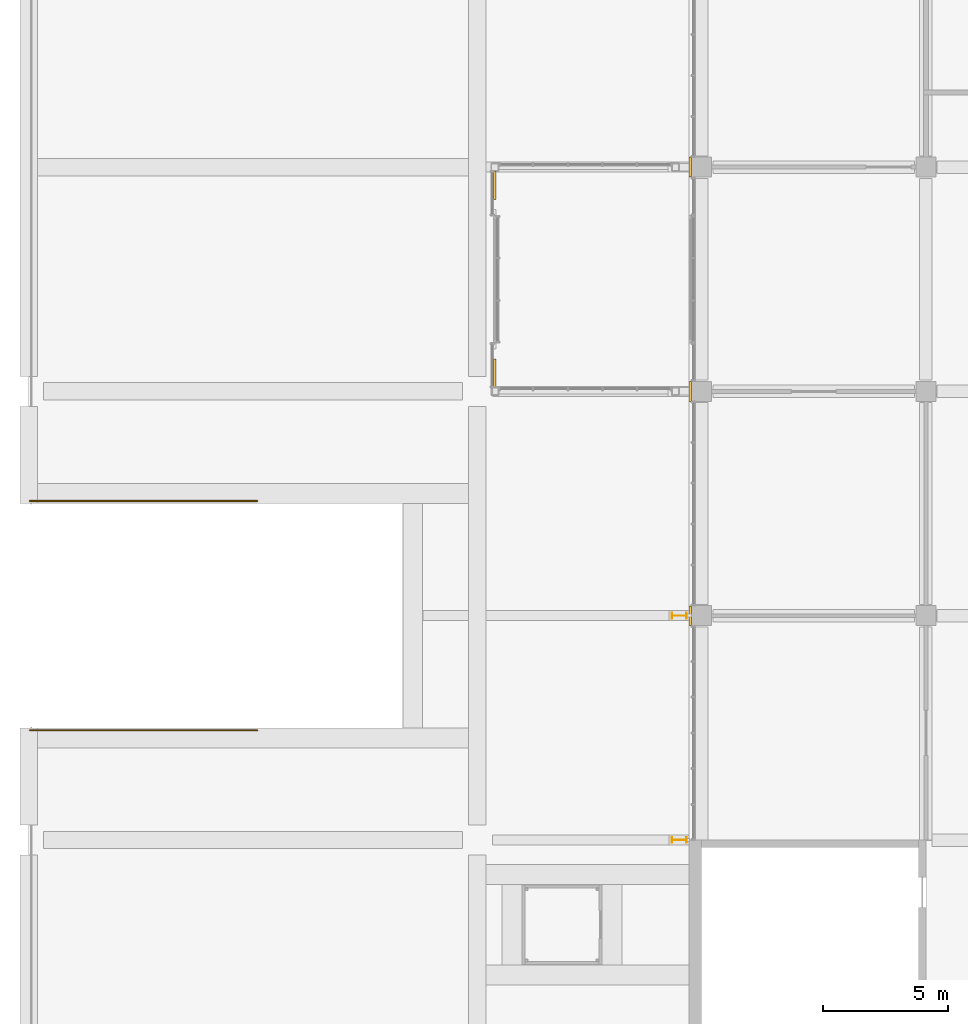
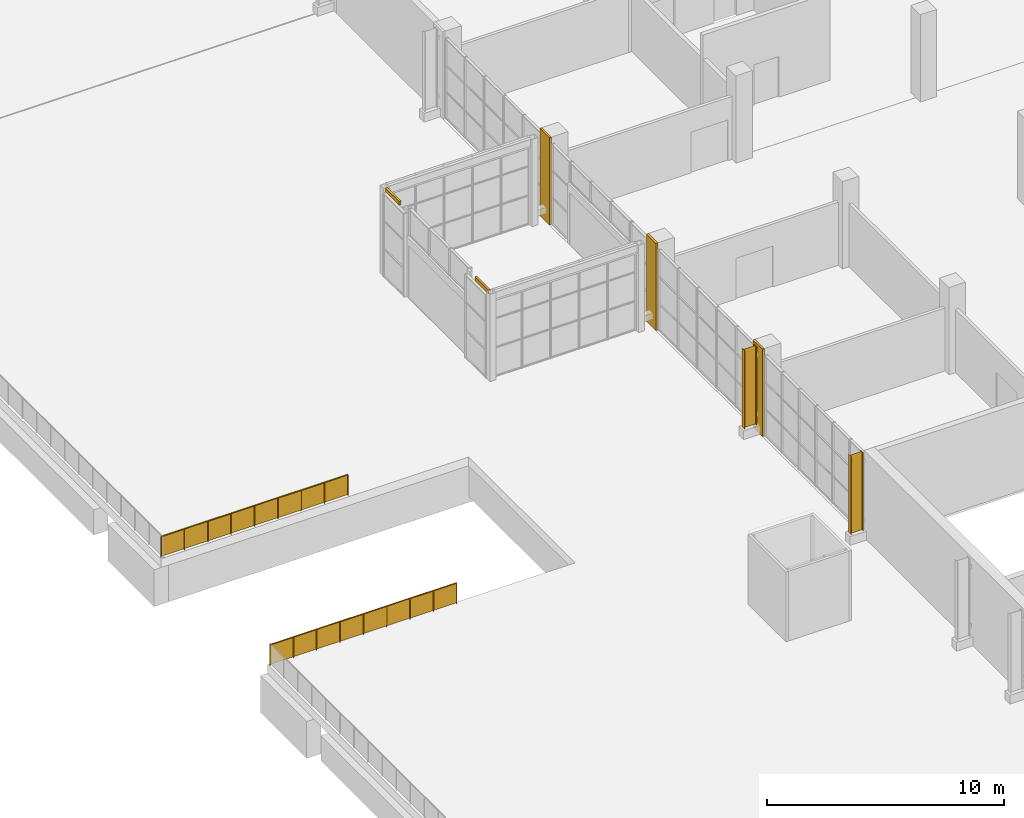
# One storey, part 140 of 168: 5 coverings, 2 railings, 2 shading devices.
"""IFC4 building model written with IfcOpenShell, lengths in metres."""

from ifc_helpers import new_model, si_unit, direction, frame, origin, origin_2d, place, context, subcontext, project, spatial, polyline, circle, i_section, outline, extrude, material, layer, layer_set, material_profile, profile_set, type_object, element, save


model = new_model("IFC4")

# Units and contexts
model_context = context("Model", 3, precision=1e-05, world=origin(), true_north=direction((0.0, 1.0)))
body_context = subcontext(model_context, "Body", "Model", "MODEL_VIEW")
ifc_project = project(units=[si_unit("LENGTHUNIT", "METRE"), si_unit("AREAUNIT", "SQUARE_METRE"), si_unit("VOLUMEUNIT", "CUBIC_METRE"), si_unit("PLANEANGLEUNIT", "RADIAN"), si_unit("MASSUNIT", "GRAM", prefix="KILO")], contexts=[model_context])

# Site, building, storey
site_placement = place(None, origin())
site = spatial("IfcSite", under=ifc_project, at=site_placement, CompositionType="ELEMENT")
building_placement = place(site_placement, origin())
building = spatial("IfcBuilding", under=site, at=building_placement, Name="Silverbay Arena", CompositionType="ELEMENT")
storey_placement = place(building_placement, frame((0.0, 0.0, 7.0)))
storey = spatial("IfcBuildingStorey", under=building, at=storey_placement, Name="L01", CompositionType="ELEMENT", Elevation=7.0)

# Coverings
ifc_material_1 = material(Name="Aluminium composite cladding", Category="aluminium")
ifc_layer_1 = layer(ifc_material_1, 0.10009765625)
ifc_layer_set_1 = layer_set([ifc_layer_1], Name="Aluminium composite cladding")
covering_type_1 = type_object("IfcCoveringType", Name="Canopy band cladding 100", PredefinedType="CLADDING", material=ifc_layer_set_1)
covering_1_placement = place(storey_placement, frame((0.0, 0.0, 4.300048828125)))
element("IfcCovering", 1, at=covering_1_placement, inside=storey, type_object=covering_type_1, Name="Canopy band cladding", PredefinedType="CLADDING", context=body_context, shape_type="SweptSolid", body=[
    extrude(outline(polyline([(18.64990234375, 54.14990234375), (18.75, 54.14990234375), (18.75, 55.300048828125), (18.64990234375, 55.300048828125), (18.64990234375, 54.14990234375)])), origin(), (0.0, 0.0, 1.0), 0.199951171875),
])
covering_2_placement = place(storey_placement, frame((0.0, 0.0, 4.300048828125)))
element("IfcCovering", 2, at=covering_2_placement, inside=storey, type_object=covering_type_1, Name="Canopy band cladding", PredefinedType="CLADDING", context=body_context, shape_type="SweptSolid", body=[
    extrude(outline(polyline([(18.64990234375, 61.699951171875), (18.75, 61.699951171875), (18.75, 62.85009765625), (18.64990234375, 62.85009765625), (18.64990234375, 61.699951171875)])), origin(), (0.0, 0.0, 1.0), 0.199951171875),
])
ifc_material_2 = material(Name="Aluminium composite cladding", Category="aluminium")
ifc_layer_2 = layer(ifc_material_2, 0.10009765625)
ifc_layer_set_2 = layer_set([ifc_layer_2], Name="Aluminium composite cladding")
covering_type_2 = type_object("IfcCoveringType", Name="Column cladding 100", PredefinedType="CLADDING", material=ifc_layer_set_2)
covering_3_placement = place(storey_placement, origin())
element("IfcCovering", 3, at=covering_3_placement, inside=storey, type_object=covering_type_2, Name="West column cladding L01 29", PredefinedType="CLADDING", context=body_context, shape_type="SweptSolid", body=[
    extrude(outline(polyline([(26.5, 44.60009765625), (26.60009765625, 44.60009765625), (26.60009765625, 45.39990234375), (26.5, 45.39990234375), (26.5, 44.60009765625)])), origin(), (0.0, 0.0, 1.0), 4.5),
])
covering_4_placement = place(storey_placement, origin())
element("IfcCovering", 4, at=covering_4_placement, inside=storey, type_object=covering_type_2, Name="West column cladding L01 30", PredefinedType="CLADDING", context=body_context, shape_type="SweptSolid", body=[
    extrude(outline(polyline([(26.5, 53.60009765625), (26.60009765625, 53.60009765625), (26.60009765625, 54.39990234375), (26.5, 54.39990234375), (26.5, 53.60009765625)])), origin(), (0.0, 0.0, 1.0), 4.5),
])
covering_5_placement = place(storey_placement, origin())
element("IfcCovering", 5, at=covering_5_placement, inside=storey, type_object=covering_type_2, Name="West column cladding L01 31", PredefinedType="CLADDING", context=body_context, shape_type="SweptSolid", body=[
    extrude(outline(polyline([(26.5, 62.60009765625), (26.60009765625, 62.60009765625), (26.60009765625, 63.39990234375), (26.5, 63.39990234375), (26.5, 62.60009765625)])), origin(), (0.0, 0.0, 1.0), 4.5),
])

# Railings
ifc_material_3 = material(Name="Stainless steel", Category="steel")
railing_type = type_object("IfcRailingType", Name="Stair guard 1100", PredefinedType="GUARDRAIL", material=ifc_material_3)
railing_1_placement = place(storey_placement, frame((0.050048828125, 40.39990234375, 0.0)))
element("IfcRailing", 6, at=railing_1_placement, inside=storey, type_object=railing_type, Name="Deck stair DS1 well edge guard left", PredefinedType="GUARDRAIL", context=body_context, shape_type="SweptSolid", body=[
    extrude(circle(Radius=0.02392578125, at=origin_2d()), frame((0.0, 0.0, 1.076171875), z_axis=(1.0, 0.0, 0.0), x_axis=(0.0, 1.0, 0.0)), (0.0, 0.0, 1.0), 9.112060546875),
    extrude(outline(polyline([(-0.008056640625, 0.050048828125), (1.14697265625, 0.050048828125), (1.14697265625, 1.052978515625), (-0.008056640625, 1.052978515625), (-0.008056640625, 0.050048828125)])), frame((0.0, 0.0029296875, 0.0), z_axis=(0.0, -1.0, 0.0), x_axis=(1.0, 0.0, 0.0)), (0.0, 0.0, 1.0), 0.006103515625),
    extrude(outline(polyline([(-0.008056640625, 0.050048828125), (1.14697265625, 0.050048828125), (1.14697265625, 1.052978515625), (-0.008056640625, 1.052978515625), (-0.008056640625, 0.050048828125)])), frame((1.138916015625, 0.0029296875, 0.0), z_axis=(0.0, -1.0, 0.0), x_axis=(1.0, 0.0, 0.0)), (0.0, 0.0, 1.0), 0.006103515625),
    extrude(outline(polyline([(-0.008056640625, 0.050048828125), (1.14697265625, 0.050048828125), (1.14697265625, 1.052978515625), (-0.008056640625, 1.052978515625), (-0.008056640625, 0.050048828125)])), frame((2.278076171875, 0.0029296875, 0.0), z_axis=(0.0, -1.0, 0.0), x_axis=(1.0, 0.0, 0.0)), (0.0, 0.0, 1.0), 0.006103515625),
    extrude(outline(polyline([(-0.008056640625, 0.050048828125), (1.14697265625, 0.050048828125), (1.14697265625, 1.052978515625), (-0.008056640625, 1.052978515625), (-0.008056640625, 0.050048828125)])), frame((3.4169921875, 0.0029296875, 0.0), z_axis=(0.0, -1.0, 0.0), x_axis=(1.0, 0.0, 0.0)), (0.0, 0.0, 1.0), 0.006103515625),
    extrude(outline(polyline([(-0.008056640625, 0.050048828125), (1.14697265625, 0.050048828125), (1.14697265625, 1.052978515625), (-0.008056640625, 1.052978515625), (-0.008056640625, 0.050048828125)])), frame((4.55615234375, 0.0029296875, 0.0), z_axis=(0.0, -1.0, 0.0), x_axis=(1.0, 0.0, 0.0)), (0.0, 0.0, 1.0), 0.006103515625),
    extrude(outline(polyline([(-0.008056640625, 0.050048828125), (1.14697265625, 0.050048828125), (1.14697265625, 1.052978515625), (-0.008056640625, 1.052978515625), (-0.008056640625, 0.050048828125)])), frame((5.695068359375, 0.0029296875, 0.0), z_axis=(0.0, -1.0, 0.0), x_axis=(1.0, 0.0, 0.0)), (0.0, 0.0, 1.0), 0.006103515625),
    extrude(outline(polyline([(-0.008056640625, 0.050048828125), (1.14697265625, 0.050048828125), (1.14697265625, 1.052978515625), (-0.008056640625, 1.052978515625), (-0.008056640625, 0.050048828125)])), frame((6.833984375, 0.0029296875, 0.0), z_axis=(0.0, -1.0, 0.0), x_axis=(1.0, 0.0, 0.0)), (0.0, 0.0, 1.0), 0.006103515625),
    extrude(outline(polyline([(-0.008056640625, 0.050048828125), (1.14697265625, 0.050048828125), (1.14697265625, 1.052978515625), (-0.008056640625, 1.052978515625), (-0.008056640625, 0.050048828125)])), frame((7.97314453125, 0.0029296875, 0.0), z_axis=(0.0, -1.0, 0.0), x_axis=(1.0, 0.0, 0.0)), (0.0, 0.0, 1.0), 0.006103515625),
    extrude(circle(Radius=0.02099609375, at=origin_2d()), origin(), (0.0, 0.0, 1.0), 1.052001953125),
    extrude(circle(Radius=0.02099609375, at=origin_2d()), frame((1.138916015625, 0.0, 0.0)), (0.0, 0.0, 1.0), 1.052001953125),
    extrude(circle(Radius=0.02099609375, at=origin_2d()), frame((2.278076171875, 0.0, 0.0)), (0.0, 0.0, 1.0), 1.052001953125),
    extrude(circle(Radius=0.02099609375, at=origin_2d()), frame((3.4169921875, 0.0, 0.0)), (0.0, 0.0, 1.0), 1.052001953125),
    extrude(circle(Radius=0.02099609375, at=origin_2d()), frame((4.55615234375, 0.0, 0.0)), (0.0, 0.0, 1.0), 1.052001953125),
    extrude(circle(Radius=0.02099609375, at=origin_2d()), frame((5.695068359375, 0.0, 0.0)), (0.0, 0.0, 1.0), 1.052001953125),
    extrude(circle(Radius=0.02099609375, at=origin_2d()), frame((6.833984375, 0.0, 0.0)), (0.0, 0.0, 1.0), 1.052001953125),
    extrude(circle(Radius=0.02099609375, at=origin_2d()), frame((7.97314453125, 0.0, 0.0)), (0.0, 0.0, 1.0), 1.052001953125),
    extrude(circle(Radius=0.02099609375, at=origin_2d()), frame((9.112060546875, 0.0, 0.0)), (0.0, 0.0, 1.0), 1.052001953125),
])
railing_2_placement = place(storey_placement, frame((0.050048828125, 49.60009765625, 0.0)))
element("IfcRailing", 7, at=railing_2_placement, inside=storey, type_object=railing_type, Name="Deck stair DS1 well edge guard right", PredefinedType="GUARDRAIL", context=body_context, shape_type="SweptSolid", body=[
    extrude(circle(Radius=0.02392578125, at=origin_2d()), frame((0.0, 0.0, 1.076171875), z_axis=(1.0, 0.0, 0.0), x_axis=(0.0, 1.0, 0.0)), (0.0, 0.0, 1.0), 9.112060546875),
    extrude(outline(polyline([(-0.008056640625, 0.050048828125), (1.14697265625, 0.050048828125), (1.14697265625, 1.052978515625), (-0.008056640625, 1.052978515625), (-0.008056640625, 0.050048828125)])), frame((0.0, 0.0029296875, 0.0), z_axis=(0.0, -1.0, 0.0), x_axis=(1.0, 0.0, 0.0)), (0.0, 0.0, 1.0), 0.006103515625),
    extrude(outline(polyline([(-0.008056640625, 0.050048828125), (1.14697265625, 0.050048828125), (1.14697265625, 1.052978515625), (-0.008056640625, 1.052978515625), (-0.008056640625, 0.050048828125)])), frame((1.138916015625, 0.0029296875, 0.0), z_axis=(0.0, -1.0, 0.0), x_axis=(1.0, 0.0, 0.0)), (0.0, 0.0, 1.0), 0.006103515625),
    extrude(outline(polyline([(-0.008056640625, 0.050048828125), (1.14697265625, 0.050048828125), (1.14697265625, 1.052978515625), (-0.008056640625, 1.052978515625), (-0.008056640625, 0.050048828125)])), frame((2.278076171875, 0.0029296875, 0.0), z_axis=(0.0, -1.0, 0.0), x_axis=(1.0, 0.0, 0.0)), (0.0, 0.0, 1.0), 0.006103515625),
    extrude(outline(polyline([(-0.008056640625, 0.050048828125), (1.14697265625, 0.050048828125), (1.14697265625, 1.052978515625), (-0.008056640625, 1.052978515625), (-0.008056640625, 0.050048828125)])), frame((3.4169921875, 0.0029296875, 0.0), z_axis=(0.0, -1.0, 0.0), x_axis=(1.0, 0.0, 0.0)), (0.0, 0.0, 1.0), 0.006103515625),
    extrude(outline(polyline([(-0.008056640625, 0.050048828125), (1.14697265625, 0.050048828125), (1.14697265625, 1.052978515625), (-0.008056640625, 1.052978515625), (-0.008056640625, 0.050048828125)])), frame((4.55615234375, 0.0029296875, 0.0), z_axis=(0.0, -1.0, 0.0), x_axis=(1.0, 0.0, 0.0)), (0.0, 0.0, 1.0), 0.006103515625),
    extrude(outline(polyline([(-0.008056640625, 0.050048828125), (1.14697265625, 0.050048828125), (1.14697265625, 1.052978515625), (-0.008056640625, 1.052978515625), (-0.008056640625, 0.050048828125)])), frame((5.695068359375, 0.0029296875, 0.0), z_axis=(0.0, -1.0, 0.0), x_axis=(1.0, 0.0, 0.0)), (0.0, 0.0, 1.0), 0.006103515625),
    extrude(outline(polyline([(-0.008056640625, 0.050048828125), (1.14697265625, 0.050048828125), (1.14697265625, 1.052978515625), (-0.008056640625, 1.052978515625), (-0.008056640625, 0.050048828125)])), frame((6.833984375, 0.0029296875, 0.0), z_axis=(0.0, -1.0, 0.0), x_axis=(1.0, 0.0, 0.0)), (0.0, 0.0, 1.0), 0.006103515625),
    extrude(outline(polyline([(-0.008056640625, 0.050048828125), (1.14697265625, 0.050048828125), (1.14697265625, 1.052978515625), (-0.008056640625, 1.052978515625), (-0.008056640625, 0.050048828125)])), frame((7.97314453125, 0.0029296875, 0.0), z_axis=(0.0, -1.0, 0.0), x_axis=(1.0, 0.0, 0.0)), (0.0, 0.0, 1.0), 0.006103515625),
    extrude(circle(Radius=0.02099609375, at=origin_2d()), origin(), (0.0, 0.0, 1.0), 1.052001953125),
    extrude(circle(Radius=0.02099609375, at=origin_2d()), frame((1.138916015625, 0.0, 0.0)), (0.0, 0.0, 1.0), 1.052001953125),
    extrude(circle(Radius=0.02099609375, at=origin_2d()), frame((2.278076171875, 0.0, 0.0)), (0.0, 0.0, 1.0), 1.052001953125),
    extrude(circle(Radius=0.02099609375, at=origin_2d()), frame((3.4169921875, 0.0, 0.0)), (0.0, 0.0, 1.0), 1.052001953125),
    extrude(circle(Radius=0.02099609375, at=origin_2d()), frame((4.55615234375, 0.0, 0.0)), (0.0, 0.0, 1.0), 1.052001953125),
    extrude(circle(Radius=0.02099609375, at=origin_2d()), frame((5.695068359375, 0.0, 0.0)), (0.0, 0.0, 1.0), 1.052001953125),
    extrude(circle(Radius=0.02099609375, at=origin_2d()), frame((6.833984375, 0.0, 0.0)), (0.0, 0.0, 1.0), 1.052001953125),
    extrude(circle(Radius=0.02099609375, at=origin_2d()), frame((7.97314453125, 0.0, 0.0)), (0.0, 0.0, 1.0), 1.052001953125),
    extrude(circle(Radius=0.02099609375, at=origin_2d()), frame((9.112060546875, 0.0, 0.0)), (0.0, 0.0, 1.0), 1.052001953125),
])

# Shading devices
ifc_material_4 = material(Name="Steel S355", Category="steel")
ifc_material_profile = material_profile(ifc_material_4, i_section(OverallWidth=0.2275390625, OverallDepth=0.6025390625, WebThickness=0.010498046875, FlangeThickness=0.014892578125, at=origin_2d()), Name="UB 610x229x101")
ifc_profile_set = profile_set([ifc_material_profile], Name="Steel S355")
shading_device_type = type_object("IfcShadingDeviceType", Name="Steel fin UB 610x229x101", PredefinedType="USERDEFINED", material=ifc_profile_set)
for number, where, z_axis, x_axis, name in (
    (8, (26.0986328125, 36.0, 0.449951171875), (0.0, 0.0, 1.0), (0.0, 1.0, 0.0), "Steel fin W L01 4"),
    (9, (26.0986328125, 45.0, 0.449951171875), (0.0, 0.0, 1.0), (0.0, 1.0, 0.0), "Steel fin W L01 6"),
):
    element("IfcShadingDevice", number, at=place(storey_placement, frame(where, z_axis=z_axis, x_axis=x_axis)), inside=storey, type_object=shading_device_type, Name=name, ObjectType="FIN", PredefinedType="USERDEFINED", context=body_context, shape_type="SweptSolid", body=[
        extrude(i_section(OverallWidth=0.2275390625, OverallDepth=0.6025390625, WebThickness=0.010498046875, FlangeThickness=0.014892578125, at=origin_2d()), origin(), (0.0, 0.0, 1.0), 4.050048828125),
    ])

save(model, "model.ifc")
